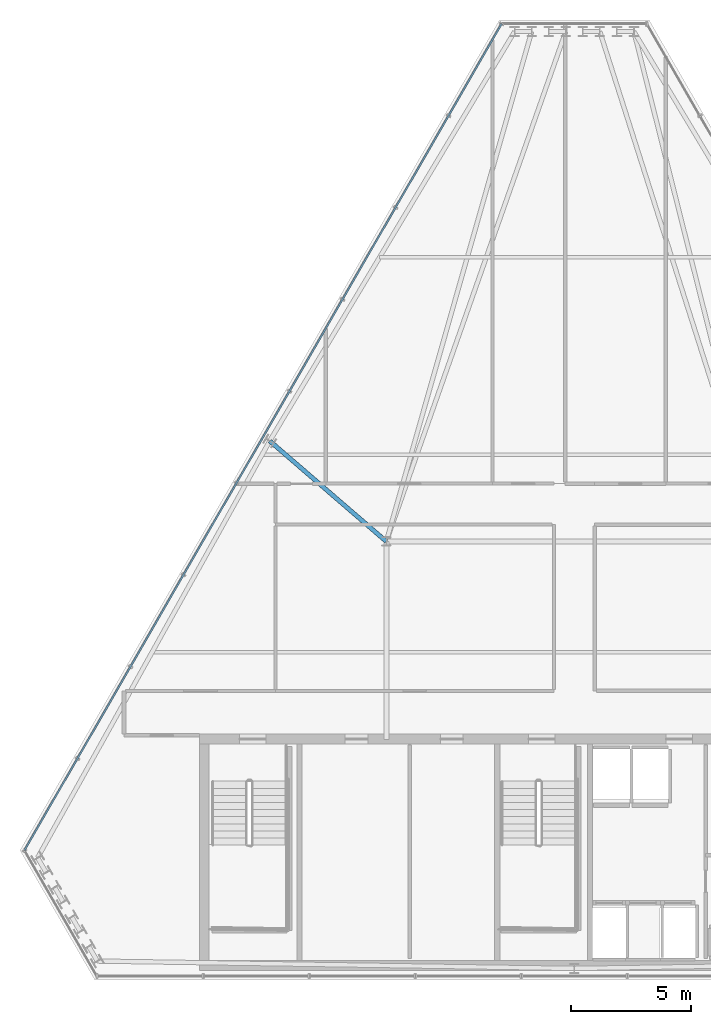
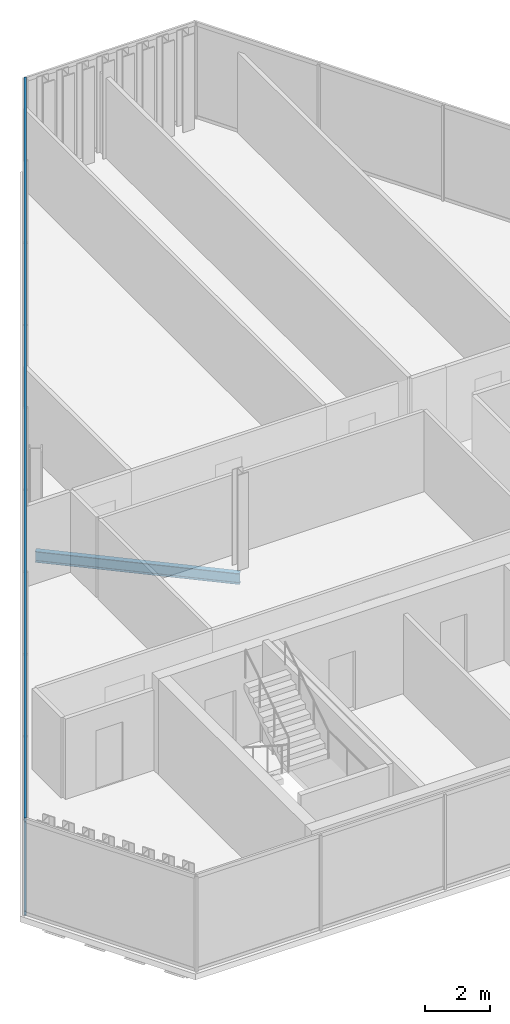
# One storey, part 12 of 32: 2 members, 1 beam, 1 element without a shape of its own.
"""IFC4 building model written with IfcOpenShell, lengths in metres."""

from ifc_helpers import new_model, si_unit, direction, frame, origin, origin_2d, place, context, subcontext, project, spatial, hollow_rectangle, i_section, extrude, material, layer, layer_set, material_profile, profile_set, type_object, element, aggregate, save


model = new_model("IFC4")

# Units and contexts
model_context = context("Model", 3, precision=1e-05, world=origin(), true_north=direction((0.0, 1.0)))
body_context = subcontext(model_context, "Body", "Model", "MODEL_VIEW")
ifc_project = project(units=[si_unit("LENGTHUNIT", "METRE"), si_unit("AREAUNIT", "SQUARE_METRE"), si_unit("VOLUMEUNIT", "CUBIC_METRE"), si_unit("PLANEANGLEUNIT", "RADIAN"), si_unit("MASSUNIT", "GRAM", prefix="KILO")], contexts=[model_context])

# Site, building, storey
site_placement = place(None, origin())
site = spatial("IfcSite", under=ifc_project, at=site_placement, CompositionType="ELEMENT")
building_placement = place(site_placement, origin())
building = spatial("IfcBuilding", under=site, at=building_placement, Name="Ndaravel Arena Tower", CompositionType="ELEMENT")
storey_placement = place(building_placement, frame((0.0, 0.0, 256.0)))
storey = spatial("IfcBuildingStorey", under=building, at=storey_placement, Name="L62", CompositionType="ELEMENT", Elevation=256.0)

# Beam
ifc_material_1 = material(Name="Steel S355", Category="steel")
ifc_material_profile_1 = material_profile(ifc_material_1, i_section(OverallWidth=0.1787109375, OverallDepth=0.409423828125, WebThickness=0.0087890625, FlangeThickness=0.014404296875, FilletRadius=0.01025390625, at=origin_2d()), Name="UB 406x178x67")
ifc_profile_set_1 = profile_set([ifc_material_profile_1], Name="Steel S355")
beam_type = type_object("IfcBeamType", Name="BM-GIRD-UB406", PredefinedType="BEAM", material=ifc_profile_set_1)
beam_placement = place(storey_placement, frame((29.362060546875, 27.36962890625, -0.4248046875), z_axis=(0.757481011077, -0.652857195609, 0.0), x_axis=(0.652857195609, 0.757481011077, 0.0)))
element("IfcBeam", 1, at=beam_placement, inside=storey, type_object=beam_type, Name="L62 Radial Floor Girder FG-19", PredefinedType="BEAM", context=body_context, shape_type="SweptSolid", body=[
    extrude(i_section(OverallWidth=0.1787109375, OverallDepth=0.409423828125, WebThickness=0.0087890625, FlangeThickness=0.014404296875, FilletRadius=0.01025390625, at=origin_2d()), origin(), (0.0, 0.0, 1.0), 6.38671875),
])

# Curtain wall, members
ifc_material_2 = material(Name="Aluminium", Category="aluminium")
ifc_layer = layer(ifc_material_2, 0.179931640625)
ifc_layer_set = layer_set([ifc_layer], Name="Aluminium")
curtain_wall_type = type_object("IfcCurtainWallType", Name="CW-SYS-03", PredefinedType="NOTDEFINED", material=ifc_layer_set)
curtain_wall_placement = place(storey_placement, origin())
curtain_wall = element("IfcCurtainWall", 2, at=curtain_wall_placement, inside=storey, type_object=curtain_wall_type, Name="L62 Faceted Crystal Curtain Wall CW-L62-E05", PredefinedType="NOTDEFINED")
ifc_material_3 = material(Name="Aluminium", Category="aluminium")
ifc_material_profile_2 = material_profile(ifc_material_3, hollow_rectangle(XDim=0.074951171875, YDim=0.14990234375, WallThickness=0.00390625, at=origin_2d()), Name="CW TRANSOM 75x150x4")
ifc_profile_set_2 = profile_set([ifc_material_profile_2], Name="Aluminium")
member_type = type_object("IfcMemberType", Name="MEM-CW-TRN150", PredefinedType="USERDEFINED", material=ifc_profile_set_2)
member_1_placement = place(storey_placement, frame((38.986328125, 44.679443359375, 0.0400390625), z_axis=(-0.500002234536, -0.866024113671, 0.0), x_axis=(0.866024113671, -0.500002234536, 0.0)))
member_1 = element("IfcMember", 3, at=member_1_placement, type_object=member_type, Name="CW-L62-E05 Transom 01", ObjectType="TRANSOM", PredefinedType="USERDEFINED", context=body_context, shape_type="SweptSolid", body=[
    extrude(hollow_rectangle(XDim=0.074951171875, YDim=0.14990234375, WallThickness=0.00390625, at=origin_2d()), origin(), (0.0, 0.0, 1.0), 39.605712890625),
])
member_2_placement = place(storey_placement, frame((38.986328125, 44.679443359375, 3.5400390625), z_axis=(-0.500002234536, -0.866024113671, 0.0), x_axis=(0.866024113671, -0.500002234536, 0.0)))
member_2 = element("IfcMember", 4, at=member_2_placement, type_object=member_type, Name="CW-L62-E05 Transom 02", ObjectType="TRANSOM", PredefinedType="USERDEFINED", context=body_context, shape_type="SweptSolid", body=[
    extrude(hollow_rectangle(XDim=0.074951171875, YDim=0.14990234375, WallThickness=0.00390625, at=origin_2d()), origin(), (0.0, 0.0, 1.0), 39.605712890625),
])
aggregate(curtain_wall, [member_1, member_2])

save(model, "model.ifc")
